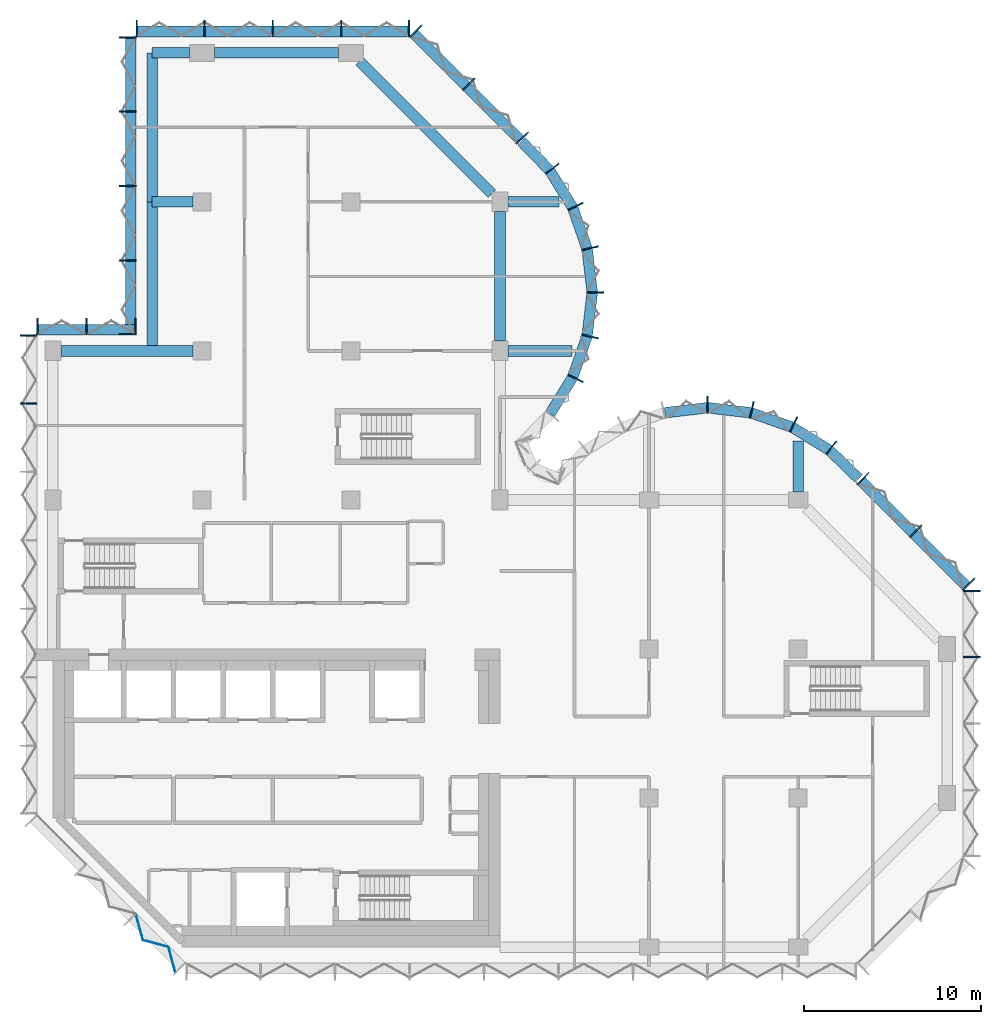
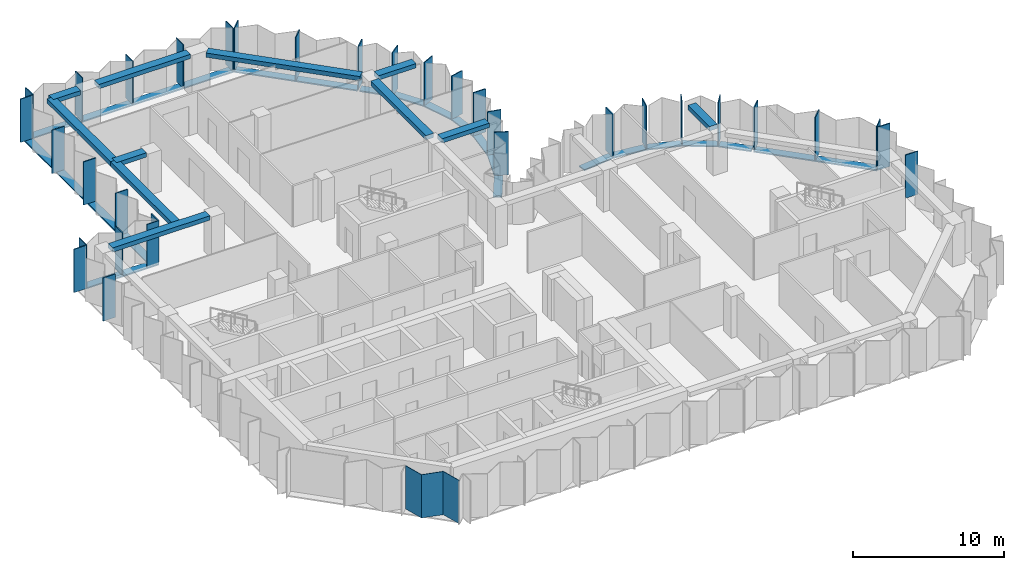
# One storey, part 2 of 10: 50 members, 11 beams, 1 plate, 10 elements without a shape of their own.
"""IFC4 building model written with IfcOpenShell, lengths in metres."""

from ifc_helpers import new_model, si_unit, direction, frame, origin, origin_2d, place, context, subcontext, project, spatial, polyline, rectangle, outline, extrude, material, layer, layer_set, material_profile, profile_set, type_object, element, aggregate, save


model = new_model("IFC4")

# Units and contexts
model_context = context("Model", 3, precision=1e-05, world=origin(), true_north=direction((0.0, 1.0)))
body_context = subcontext(model_context, "Body", "Model", "MODEL_VIEW")
ifc_project = project(units=[si_unit("LENGTHUNIT", "METRE"), si_unit("AREAUNIT", "SQUARE_METRE"), si_unit("VOLUMEUNIT", "CUBIC_METRE"), si_unit("PLANEANGLEUNIT", "RADIAN"), si_unit("MASSUNIT", "GRAM", prefix="KILO")], contexts=[model_context])

# Site, building, storey
site_placement = place(None, origin())
site = spatial("IfcSite", under=ifc_project, at=site_placement, CompositionType="ELEMENT")
building_placement = place(site_placement, origin())
building = spatial("IfcBuilding", under=site, at=building_placement, Name="Brevane Broadcast Tower", CompositionType="ELEMENT")
storey_placement = place(building_placement, frame((0.0, 0.0, 195.60009765625)))
storey = spatial("IfcBuildingStorey", under=building, at=storey_placement, Name="L49", CompositionType="ELEMENT", Elevation=195.60009765625)

# Curtain wall, members
ifc_material_1 = material(Name="Aluminium 6063-T6 bronze anodised", Category="aluminium")
curtain_wall_type = type_object("IfcCurtainWallType", Name="CW-1 curtain wall", PredefinedType="NOTDEFINED", material=ifc_material_1)
curtain_wall_1_placement = place(storey_placement, origin())
curtain_wall_1 = element("IfcCurtainWall", 1, at=curtain_wall_1_placement, inside=storey, type_object=curtain_wall_type, Name="CW-1 typical tilted unit L49 east end", PredefinedType="NOTDEFINED")
ifc_material_profile_1 = material_profile(ifc_material_1, rectangle(XDim=0.949951171875, YDim=0.070068359375, at=origin_2d()), Name="RECT 70x950")
ifc_profile_set_1 = profile_set([ifc_material_profile_1], Name="Aluminium 6063-T6 bronze anodised")
member_type_1 = type_object("IfcMemberType", Name="CW-1 mullion 70x950", PredefinedType="MULLION", material=ifc_profile_set_1)
member_1_placement = place(storey_placement, frame((51.77490234375, 16.35009765625, -0.150146484375), z_axis=(0.0, 0.0, 1.0), x_axis=(-1.0, 0.0, 0.0)))
member_1 = element("IfcMember", 2, at=member_1_placement, type_object=member_type_1, Name="CW-1 mullion", PredefinedType="MULLION", context=body_context, shape_type="SweptSolid", body=[
    extrude(rectangle(XDim=0.949951171875, YDim=0.070068359375, at=origin_2d()), origin(), (0.0, 0.0, 1.0), 3.5),
])
member_2_placement = place(storey_placement, frame((51.77490234375, 20.06494140625, -0.150146484375), z_axis=(0.0, 0.0, 1.0), x_axis=(-1.0, 0.0, 0.0)))
member_2 = element("IfcMember", 3, at=member_2_placement, type_object=member_type_1, Name="CW-1 mullion", PredefinedType="MULLION", context=body_context, shape_type="SweptSolid", body=[
    extrude(rectangle(XDim=0.949951171875, YDim=0.070068359375, at=origin_2d()), origin(), (0.0, 0.0, 1.0), 3.5),
])
aggregate(curtain_wall_1, [member_1, member_2])

curtain_wall_2_placement = place(storey_placement, origin())
curtain_wall_2 = element("IfcCurtainWall", 4, at=curtain_wall_2_placement, inside=storey, type_object=curtain_wall_type, Name="CW-1 typical tilted unit L49 north-east chamfer", PredefinedType="NOTDEFINED")
member_3_placement = place(storey_placement, frame((51.611083984375, 20.460693359375, -0.150146484375), z_axis=(0.0, 0.0, 1.0), x_axis=(-0.707106781187, -0.707106781187, 0.0)))
member_3 = element("IfcMember", 5, at=member_3_placement, type_object=member_type_1, Name="CW-1 mullion", PredefinedType="MULLION", context=body_context, shape_type="SweptSolid", body=[
    extrude(rectangle(XDim=0.949951171875, YDim=0.070068359375, at=origin_2d()), origin(), (0.0, 0.0, 1.0), 3.5),
])
member_4_placement = place(storey_placement, frame((48.635986328125, 23.435791015625, -0.150146484375), z_axis=(0.0, 0.0, 1.0), x_axis=(-0.707106781187, -0.707106781187, 0.0)))
member_4 = element("IfcMember", 6, at=member_4_placement, type_object=member_type_1, Name="CW-1 mullion", PredefinedType="MULLION", context=body_context, shape_type="SweptSolid", body=[
    extrude(rectangle(XDim=0.949951171875, YDim=0.070068359375, at=origin_2d()), origin(), (0.0, 0.0, 1.0), 3.5),
])
member_5_placement = place(storey_placement, frame((45.66064453125, 26.4111328125, -0.150146484375), z_axis=(0.0, 0.0, 1.0), x_axis=(-0.707106781187, -0.707106781187, 0.0)))
member_5 = element("IfcMember", 7, at=member_5_placement, type_object=member_type_1, Name="CW-1 mullion", PredefinedType="MULLION", context=body_context, shape_type="SweptSolid", body=[
    extrude(rectangle(XDim=0.949951171875, YDim=0.070068359375, at=origin_2d()), origin(), (0.0, 0.0, 1.0), 3.5),
])

curtain_wall_3_placement = place(storey_placement, origin())
curtain_wall_3 = element("IfcCurtainWall", 8, at=curtain_wall_3_placement, inside=storey, type_object=curtain_wall_type, Name="CW-1 typical tilted unit L49 east bow", PredefinedType="NOTDEFINED")
member_6_placement = place(storey_placement, frame((43.8720703125, 28.1455078125, -0.150146484375), z_axis=(0.0, 0.0, 1.0), x_axis=(-0.614769698862, -0.788706673841, 0.0)))
member_6 = element("IfcMember", 9, at=member_6_placement, type_object=member_type_1, Name="CW-1 mullion", PredefinedType="MULLION", context=body_context, shape_type="SweptSolid", body=[
    extrude(rectangle(XDim=0.949951171875, YDim=0.070068359375, at=origin_2d()), origin(), (0.0, 0.0, 1.0), 3.5),
])
member_7_placement = place(storey_placement, frame((41.746826171875, 29.4580078125, -0.150146484375), z_axis=(0.0, 0.0, 1.0), x_axis=(-0.429933580394, -0.902860518823, 0.0)))
member_7 = element("IfcMember", 10, at=member_7_placement, type_object=member_type_1, Name="CW-1 mullion", PredefinedType="MULLION", context=body_context, shape_type="SweptSolid", body=[
    extrude(rectangle(XDim=0.949951171875, YDim=0.070068359375, at=origin_2d()), origin(), (0.0, 0.0, 1.0), 3.5),
])
member_8_placement = place(storey_placement, frame((39.38818359375, 30.28076171875, -0.150146484375), z_axis=(0.0, 0.0, 1.0), x_axis=(-0.224806535479, -0.974403418306, 0.0)))
member_8 = element("IfcMember", 11, at=member_8_placement, type_object=member_type_1, Name="CW-1 mullion", PredefinedType="MULLION", context=body_context, shape_type="SweptSolid", body=[
    extrude(rectangle(XDim=0.949951171875, YDim=0.070068359375, at=origin_2d()), origin(), (0.0, 0.0, 1.0), 3.5),
])
member_9_placement = place(storey_placement, frame((36.89990234375, 30.574951171875, -0.150146484375), z_axis=(0.0, 0.0, 1.0), x_axis=(0.0, -1.0, 0.0)))
member_9 = element("IfcMember", 12, at=member_9_placement, type_object=member_type_1, Name="CW-1 mullion", PredefinedType="MULLION", context=body_context, shape_type="SweptSolid", body=[
    extrude(rectangle(XDim=0.949951171875, YDim=0.070068359375, at=origin_2d()), origin(), (0.0, 0.0, 1.0), 3.5),
])

curtain_wall_4_placement = place(storey_placement, origin())
curtain_wall_4 = element("IfcCurtainWall", 13, at=curtain_wall_4_placement, inside=storey, type_object=curtain_wall_type, Name="CW-1 typical tilted unit L49 north bow", PredefinedType="NOTDEFINED")
member_10_placement = place(storey_placement, frame((29.4580078125, 32.05322265625, -0.150146484375), z_axis=(0.0, 0.0, 1.0), x_axis=(-0.902860518823, 0.429933580394, 0.0)))
member_10 = element("IfcMember", 14, at=member_10_placement, type_object=member_type_1, Name="CW-1 mullion", PredefinedType="MULLION", context=body_context, shape_type="SweptSolid", body=[
    extrude(rectangle(XDim=0.949951171875, YDim=0.070068359375, at=origin_2d()), origin(), (0.0, 0.0, 1.0), 3.5),
])
member_11_placement = place(storey_placement, frame((30.28076171875, 34.411865234375, -0.150146484375), z_axis=(0.0, 0.0, 1.0), x_axis=(-0.974403418306, 0.224806535479, 0.0)))
member_11 = element("IfcMember", 15, at=member_11_placement, type_object=member_type_1, Name="CW-1 mullion", PredefinedType="MULLION", context=body_context, shape_type="SweptSolid", body=[
    extrude(rectangle(XDim=0.949951171875, YDim=0.070068359375, at=origin_2d()), origin(), (0.0, 0.0, 1.0), 3.5),
])
member_12_placement = place(storey_placement, frame((30.574951171875, 36.89990234375, -0.150146484375), z_axis=(0.0, 0.0, 1.0), x_axis=(-1.0, 0.0, 0.0)))
member_12 = element("IfcMember", 16, at=member_12_placement, type_object=member_type_1, Name="CW-1 mullion", PredefinedType="MULLION", context=body_context, shape_type="SweptSolid", body=[
    extrude(rectangle(XDim=0.949951171875, YDim=0.070068359375, at=origin_2d()), origin(), (0.0, 0.0, 1.0), 3.5),
])
member_13_placement = place(storey_placement, frame((30.28076171875, 39.38818359375, -0.150146484375), z_axis=(0.0, 0.0, 1.0), x_axis=(-0.974403418306, -0.224806535479, 0.0)))
member_13 = element("IfcMember", 17, at=member_13_placement, type_object=member_type_1, Name="CW-1 mullion", PredefinedType="MULLION", context=body_context, shape_type="SweptSolid", body=[
    extrude(rectangle(XDim=0.949951171875, YDim=0.070068359375, at=origin_2d()), origin(), (0.0, 0.0, 1.0), 3.5),
])
member_14_placement = place(storey_placement, frame((29.4580078125, 41.746826171875, -0.150146484375), z_axis=(0.0, 0.0, 1.0), x_axis=(-0.902860518823, -0.429933580394, 0.0)))
member_14 = element("IfcMember", 18, at=member_14_placement, type_object=member_type_1, Name="CW-1 mullion", PredefinedType="MULLION", context=body_context, shape_type="SweptSolid", body=[
    extrude(rectangle(XDim=0.949951171875, YDim=0.070068359375, at=origin_2d()), origin(), (0.0, 0.0, 1.0), 3.5),
])
member_15_placement = place(storey_placement, frame((28.1455078125, 43.8720703125, -0.150146484375), z_axis=(0.0, 0.0, 1.0), x_axis=(-0.788706673841, -0.614769698862, 0.0)))
member_15 = element("IfcMember", 19, at=member_15_placement, type_object=member_type_1, Name="CW-1 mullion", PredefinedType="MULLION", context=body_context, shape_type="SweptSolid", body=[
    extrude(rectangle(XDim=0.949951171875, YDim=0.070068359375, at=origin_2d()), origin(), (0.0, 0.0, 1.0), 3.5),
])
member_16_placement = place(storey_placement, frame((26.465087890625, 45.60595703125, -0.150146484375), z_axis=(0.0, 0.0, 1.0), x_axis=(-0.717253728729, -0.696812089895, 0.0)))
member_16 = element("IfcMember", 20, at=member_16_placement, type_object=member_type_1, Name="CW-1 mullion", PredefinedType="MULLION", context=body_context, shape_type="SweptSolid", body=[
    extrude(rectangle(XDim=0.949951171875, YDim=0.070068359375, at=origin_2d()), origin(), (0.0, 0.0, 1.0), 3.5),
])

curtain_wall_5_placement = place(storey_placement, origin())
curtain_wall_5 = element("IfcCurtainWall", 21, at=curtain_wall_5_placement, inside=storey, type_object=curtain_wall_type, Name="CW-1 typical tilted unit L49 north arm north-east chamfer", PredefinedType="NOTDEFINED")
member_17_placement = place(storey_placement, frame((23.435791015625, 48.635986328125, -0.150146484375), z_axis=(0.0, 0.0, 1.0), x_axis=(-0.707106781187, -0.707106781187, 0.0)))
member_17 = element("IfcMember", 22, at=member_17_placement, type_object=member_type_1, Name="CW-1 mullion", PredefinedType="MULLION", context=body_context, shape_type="SweptSolid", body=[
    extrude(rectangle(XDim=0.949951171875, YDim=0.070068359375, at=origin_2d()), origin(), (0.0, 0.0, 1.0), 3.5),
])
member_18_placement = place(storey_placement, frame((20.460693359375, 51.611083984375, -0.150146484375), z_axis=(0.0, 0.0, 1.0), x_axis=(-0.707106781187, -0.707106781187, 0.0)))
member_18 = element("IfcMember", 23, at=member_18_placement, type_object=member_type_1, Name="CW-1 mullion", PredefinedType="MULLION", context=body_context, shape_type="SweptSolid", body=[
    extrude(rectangle(XDim=0.949951171875, YDim=0.070068359375, at=origin_2d()), origin(), (0.0, 0.0, 1.0), 3.5),
])

curtain_wall_6_placement = place(storey_placement, origin())
curtain_wall_6 = element("IfcCurtainWall", 24, at=curtain_wall_6_placement, inside=storey, type_object=curtain_wall_type, Name="CW-1 typical tilted unit L49 north end", PredefinedType="NOTDEFINED")
member_19_placement = place(storey_placement, frame((20.06494140625, 51.77490234375, -0.150146484375), z_axis=(0.0, 0.0, 1.0), x_axis=(0.0, -1.0, 0.0)))
member_19 = element("IfcMember", 25, at=member_19_placement, type_object=member_type_1, Name="CW-1 mullion", PredefinedType="MULLION", context=body_context, shape_type="SweptSolid", body=[
    extrude(rectangle(XDim=0.949951171875, YDim=0.070068359375, at=origin_2d()), origin(), (0.0, 0.0, 1.0), 3.5),
])
member_20_placement = place(storey_placement, frame((16.25, 51.77490234375, -0.150146484375), z_axis=(0.0, 0.0, 1.0), x_axis=(0.0, -1.0, 0.0)))
member_20 = element("IfcMember", 26, at=member_20_placement, type_object=member_type_1, Name="CW-1 mullion", PredefinedType="MULLION", context=body_context, shape_type="SweptSolid", body=[
    extrude(rectangle(XDim=0.949951171875, YDim=0.070068359375, at=origin_2d()), origin(), (0.0, 0.0, 1.0), 3.5),
])
member_21_placement = place(storey_placement, frame((12.39990234375, 51.77490234375, -0.150146484375), z_axis=(0.0, 0.0, 1.0), x_axis=(0.0, -1.0, 0.0)))
member_21 = element("IfcMember", 27, at=member_21_placement, type_object=member_type_1, Name="CW-1 mullion", PredefinedType="MULLION", context=body_context, shape_type="SweptSolid", body=[
    extrude(rectangle(XDim=0.949951171875, YDim=0.070068359375, at=origin_2d()), origin(), (0.0, 0.0, 1.0), 3.5),
])
member_22_placement = place(storey_placement, frame((8.550048828125, 51.77490234375, -0.150146484375), z_axis=(0.0, 0.0, 1.0), x_axis=(0.0, -1.0, 0.0)))
member_22 = element("IfcMember", 28, at=member_22_placement, type_object=member_type_1, Name="CW-1 mullion", PredefinedType="MULLION", context=body_context, shape_type="SweptSolid", body=[
    extrude(rectangle(XDim=0.949951171875, YDim=0.070068359375, at=origin_2d()), origin(), (0.0, 0.0, 1.0), 3.5),
])
member_23_placement = place(storey_placement, frame((4.735107421875, 51.77490234375, -0.150146484375), z_axis=(0.0, 0.0, 1.0), x_axis=(0.0, -1.0, 0.0)))
member_23 = element("IfcMember", 29, at=member_23_placement, type_object=member_type_1, Name="CW-1 mullion", PredefinedType="MULLION", context=body_context, shape_type="SweptSolid", body=[
    extrude(rectangle(XDim=0.949951171875, YDim=0.070068359375, at=origin_2d()), origin(), (0.0, 0.0, 1.0), 3.5),
])

curtain_wall_7_placement = place(storey_placement, origin())
curtain_wall_7 = element("IfcCurtainWall", 30, at=curtain_wall_7_placement, inside=storey, type_object=curtain_wall_type, Name="CW-1 typical tilted unit L49 north wing west face, lower block", PredefinedType="NOTDEFINED")
member_24_placement = place(storey_placement, frame((4.22509765625, 51.264892578125, -0.150146484375), z_axis=(0.0, 0.0, 1.0), x_axis=(1.0, 0.0, 0.0)))
member_24 = element("IfcMember", 31, at=member_24_placement, type_object=member_type_1, Name="CW-1 mullion", PredefinedType="MULLION", context=body_context, shape_type="SweptSolid", body=[
    extrude(rectangle(XDim=0.949951171875, YDim=0.070068359375, at=origin_2d()), origin(), (0.0, 0.0, 1.0), 3.5),
])
member_25_placement = place(storey_placement, frame((4.22509765625, 47.10009765625, -0.150146484375), z_axis=(0.0, 0.0, 1.0), x_axis=(1.0, 0.0, 0.0)))
member_25 = element("IfcMember", 32, at=member_25_placement, type_object=member_type_1, Name="CW-1 mullion", PredefinedType="MULLION", context=body_context, shape_type="SweptSolid", body=[
    extrude(rectangle(XDim=0.949951171875, YDim=0.070068359375, at=origin_2d()), origin(), (0.0, 0.0, 1.0), 3.5),
])
member_26_placement = place(storey_placement, frame((4.22509765625, 42.89990234375, -0.150146484375), z_axis=(0.0, 0.0, 1.0), x_axis=(1.0, 0.0, 0.0)))
member_26 = element("IfcMember", 33, at=member_26_placement, type_object=member_type_1, Name="CW-1 mullion", PredefinedType="MULLION", context=body_context, shape_type="SweptSolid", body=[
    extrude(rectangle(XDim=0.949951171875, YDim=0.070068359375, at=origin_2d()), origin(), (0.0, 0.0, 1.0), 3.5),
])
member_27_placement = place(storey_placement, frame((4.22509765625, 38.699951171875, -0.150146484375), z_axis=(0.0, 0.0, 1.0), x_axis=(1.0, 0.0, 0.0)))
member_27 = element("IfcMember", 34, at=member_27_placement, type_object=member_type_1, Name="CW-1 mullion", PredefinedType="MULLION", context=body_context, shape_type="SweptSolid", body=[
    extrude(rectangle(XDim=0.949951171875, YDim=0.070068359375, at=origin_2d()), origin(), (0.0, 0.0, 1.0), 3.5),
])
member_28_placement = place(storey_placement, frame((4.22509765625, 34.534912109375, -0.150146484375), z_axis=(0.0, 0.0, 1.0), x_axis=(1.0, 0.0, 0.0)))
member_28 = element("IfcMember", 35, at=member_28_placement, type_object=member_type_1, Name="CW-1 mullion", PredefinedType="MULLION", context=body_context, shape_type="SweptSolid", body=[
    extrude(rectangle(XDim=0.949951171875, YDim=0.070068359375, at=origin_2d()), origin(), (0.0, 0.0, 1.0), 3.5),
])

curtain_wall_8_placement = place(storey_placement, origin())
curtain_wall_8 = element("IfcCurtainWall", 36, at=curtain_wall_8_placement, inside=storey, type_object=curtain_wall_type, Name="CW-1 typical tilted unit L49 north wing west return, lower block", PredefinedType="NOTDEFINED")
member_29_placement = place(storey_placement, frame((4.6650390625, 34.97509765625, -0.150146484375), z_axis=(0.0, 0.0, 1.0), x_axis=(0.0, -1.0, 0.0)))
member_29 = element("IfcMember", 37, at=member_29_placement, type_object=member_type_1, Name="CW-1 mullion", PredefinedType="MULLION", context=body_context, shape_type="SweptSolid", body=[
    extrude(rectangle(XDim=0.949951171875, YDim=0.070068359375, at=origin_2d()), origin(), (0.0, 0.0, 1.0), 3.5),
])
member_30_placement = place(storey_placement, frame((1.89990234375, 34.97509765625, -0.150146484375), z_axis=(0.0, 0.0, 1.0), x_axis=(0.0, -1.0, 0.0)))
member_30 = element("IfcMember", 38, at=member_30_placement, type_object=member_type_1, Name="CW-1 mullion", PredefinedType="MULLION", context=body_context, shape_type="SweptSolid", body=[
    extrude(rectangle(XDim=0.949951171875, YDim=0.070068359375, at=origin_2d()), origin(), (0.0, 0.0, 1.0), 3.5),
])
member_31_placement = place(storey_placement, frame((-0.864990234375, 34.97509765625, -0.150146484375), z_axis=(0.0, 0.0, 1.0), x_axis=(0.0, -1.0, 0.0)))
member_31 = element("IfcMember", 39, at=member_31_placement, type_object=member_type_1, Name="CW-1 mullion", PredefinedType="MULLION", context=body_context, shape_type="SweptSolid", body=[
    extrude(rectangle(XDim=0.949951171875, YDim=0.070068359375, at=origin_2d()), origin(), (0.0, 0.0, 1.0), 3.5),
])

curtain_wall_9_placement = place(storey_placement, origin())
curtain_wall_9 = element("IfcCurtainWall", 40, at=curtain_wall_9_placement, inside=storey, type_object=curtain_wall_type, Name="CW-1 typical tilted unit L49 west face", PredefinedType="NOTDEFINED")
member_32_placement = place(storey_placement, frame((-1.375, 34.465087890625, -0.150146484375), z_axis=(0.0, 0.0, 1.0), x_axis=(1.0, 0.0, 0.0)))
member_32 = element("IfcMember", 41, at=member_32_placement, type_object=member_type_1, Name="CW-1 mullion", PredefinedType="MULLION", context=body_context, shape_type="SweptSolid", body=[
    extrude(rectangle(XDim=0.949951171875, YDim=0.070068359375, at=origin_2d()), origin(), (0.0, 0.0, 1.0), 3.5),
])
member_33_placement = place(storey_placement, frame((-1.375, 30.642822265625, -0.150146484375), z_axis=(0.0, 0.0, 1.0), x_axis=(1.0, 0.0, 0.0)))
member_33 = element("IfcMember", 42, at=member_33_placement, type_object=member_type_1, Name="CW-1 mullion", PredefinedType="MULLION", context=body_context, shape_type="SweptSolid", body=[
    extrude(rectangle(XDim=0.949951171875, YDim=0.070068359375, at=origin_2d()), origin(), (0.0, 0.0, 1.0), 3.5),
])
aggregate(curtain_wall_9, [member_32, member_33])

# Member
ifc_material_profile_2 = material_profile(ifc_material_1, rectangle(XDim=0.60009765625, YDim=0.10009765625, at=origin_2d()), Name="RECT 100x600")
ifc_profile_set_2 = profile_set([ifc_material_profile_2], Name="Aluminium 6063-T6 bronze anodised")
member_type_2 = type_object("IfcMemberType", Name="CW-1 transom 100x600", PredefinedType="USERDEFINED", material=ifc_profile_set_2)
member_34_placement = place(storey_placement, frame((51.51220703125, 20.31201171875, -0.2001953125), z_axis=(-0.707106781187, 0.707106781187, 0.0), x_axis=(-0.707106781187, -0.707106781187, 0.0)))
member_34 = element("IfcMember", 43, at=member_34_placement, type_object=member_type_2, Name="CW-1 transom", ObjectType="TRANSOM", PredefinedType="USERDEFINED", context=body_context, shape_type="SweptSolid", body=[
    extrude(rectangle(XDim=0.60009765625, YDim=0.10009765625, at=origin_2d()), origin(), (0.0, 0.0, 1.0), 8.4853515625),
])

aggregate(curtain_wall_2, [member_3, member_4, member_5, member_34])

member_35_placement = place(storey_placement, frame((45.412841796875, 26.407958984375, -0.2001953125), z_axis=(-0.71724215871, 0.696823999134, 0.0), x_axis=(-0.696823999134, -0.71724215871, 0.0)))
member_35 = element("IfcMember", 44, at=member_35_placement, type_object=member_type_2, Name="CW-1 transom", ObjectType="TRANSOM", PredefinedType="USERDEFINED", context=body_context, shape_type="SweptSolid", body=[
    extrude(rectangle(XDim=0.60009765625, YDim=0.10009765625, at=origin_2d()), origin(), (0.0, 0.0, 1.0), 2.247802734375),
])

member_36_placement = place(storey_placement, frame((43.7421875, 28.023193359375, -0.2001953125), z_axis=(-0.850810063131, 0.525473345162, 0.0), x_axis=(-0.525473345162, -0.850810063131, 0.0)))
member_36 = element("IfcMember", 45, at=member_36_placement, type_object=member_type_2, Name="CW-1 transom", ObjectType="TRANSOM", PredefinedType="USERDEFINED", context=body_context, shape_type="SweptSolid", body=[
    extrude(rectangle(XDim=0.60009765625, YDim=0.10009765625, at=origin_2d()), origin(), (0.0, 0.0, 1.0), 2.39453125),
])

member_37_placement = place(storey_placement, frame((41.63623046875, 29.314208984375, -0.2001953125), z_axis=(-0.944197969542, 0.329378497041, 0.0), x_axis=(-0.329378497041, -0.944197969542, 0.0)))
member_37 = element("IfcMember", 46, at=member_37_placement, type_object=member_type_2, Name="CW-1 transom", ObjectType="TRANSOM", PredefinedType="USERDEFINED", context=body_context, shape_type="SweptSolid", body=[
    extrude(rectangle(XDim=0.60009765625, YDim=0.10009765625, at=origin_2d()), origin(), (0.0, 0.0, 1.0), 2.394775390625),
])

member_38_placement = place(storey_placement, frame((39.30029296875, 30.117431640625, -0.2001953125), z_axis=(-0.993062061831, 0.117591417, 0.0), x_axis=(-0.117591417, -0.993062061831, 0.0)))
member_38 = element("IfcMember", 47, at=member_38_placement, type_object=member_type_2, Name="CW-1 transom", ObjectType="TRANSOM", PredefinedType="USERDEFINED", context=body_context, shape_type="SweptSolid", body=[
    extrude(rectangle(XDim=0.60009765625, YDim=0.10009765625, at=origin_2d()), origin(), (0.0, 0.0, 1.0), 2.39794921875),
])

member_39_placement = place(storey_placement, frame((36.880859375, 30.3994140625, -0.2001953125), z_axis=(-0.993060653805, -0.117603307202, 0.0), x_axis=(0.117603307202, -0.993060653805, 0.0)))
member_39 = element("IfcMember", 48, at=member_39_placement, type_object=member_type_2, Name="CW-1 transom", ObjectType="TRANSOM", PredefinedType="USERDEFINED", context=body_context, shape_type="SweptSolid", body=[
    extrude(rectangle(XDim=0.60009765625, YDim=0.10009765625, at=origin_2d()), origin(), (0.0, 0.0, 1.0), 2.397705078125),
])

aggregate(curtain_wall_3, [member_6, member_7, member_8, member_9, member_35, member_36, member_37, member_38, member_39])

member_40_placement = place(storey_placement, frame((28.023193359375, 30.0576171875, -0.2001953125), z_axis=(0.525427766759, 0.850838211365, 0.0), x_axis=(-0.850838211365, 0.525427766759, 0.0)))
member_40 = element("IfcMember", 49, at=member_40_placement, type_object=member_type_2, Name="CW-1 transom", ObjectType="TRANSOM", PredefinedType="USERDEFINED", context=body_context, shape_type="SweptSolid", body=[
    extrude(rectangle(XDim=0.60009765625, YDim=0.10009765625, at=origin_2d()), origin(), (0.0, 0.0, 1.0), 2.394775390625),
])

member_41_placement = place(storey_placement, frame((29.314208984375, 32.163818359375, -0.2001953125), z_axis=(0.329378497041, 0.944197969542, 0.0), x_axis=(-0.944197969542, 0.329378497041, 0.0)))
member_41 = element("IfcMember", 50, at=member_41_placement, type_object=member_type_2, Name="CW-1 transom", ObjectType="TRANSOM", PredefinedType="USERDEFINED", context=body_context, shape_type="SweptSolid", body=[
    extrude(rectangle(XDim=0.60009765625, YDim=0.10009765625, at=origin_2d()), origin(), (0.0, 0.0, 1.0), 2.394775390625),
])

member_42_placement = place(storey_placement, frame((30.117431640625, 34.499755859375, -0.2001953125), z_axis=(0.117603307202, 0.993060653805, 0.0), x_axis=(-0.993060653805, 0.117603307202, 0.0)))
member_42 = element("IfcMember", 51, at=member_42_placement, type_object=member_type_2, Name="CW-1 transom", ObjectType="TRANSOM", PredefinedType="USERDEFINED", context=body_context, shape_type="SweptSolid", body=[
    extrude(rectangle(XDim=0.60009765625, YDim=0.10009765625, at=origin_2d()), origin(), (0.0, 0.0, 1.0), 2.397705078125),
])

member_43_placement = place(storey_placement, frame((30.3994140625, 36.9189453125, -0.2001953125), z_axis=(-0.117591417, 0.993062061831, 0.0), x_axis=(-0.993062061831, -0.117591417, 0.0)))
member_43 = element("IfcMember", 52, at=member_43_placement, type_object=member_type_2, Name="CW-1 transom", ObjectType="TRANSOM", PredefinedType="USERDEFINED", context=body_context, shape_type="SweptSolid", body=[
    extrude(rectangle(XDim=0.60009765625, YDim=0.10009765625, at=origin_2d()), origin(), (0.0, 0.0, 1.0), 2.39794921875),
])

member_44_placement = place(storey_placement, frame((30.10302734375, 39.375, -0.2001953125), z_axis=(-0.329378497041, 0.944197969542, 0.0), x_axis=(-0.944197969542, -0.329378497041, 0.0)))
member_44 = element("IfcMember", 53, at=member_44_placement, type_object=member_type_2, Name="CW-1 transom", ObjectType="TRANSOM", PredefinedType="USERDEFINED", context=body_context, shape_type="SweptSolid", body=[
    extrude(rectangle(XDim=0.60009765625, YDim=0.10009765625, at=origin_2d()), origin(), (0.0, 0.0, 1.0), 2.394775390625),
])

member_45_placement = place(storey_placement, frame((29.281494140625, 41.704833984375, -0.2001953125), z_axis=(-0.525473345162, 0.850810063131, 0.0), x_axis=(-0.850810063131, -0.525473345162, 0.0)))
member_45 = element("IfcMember", 54, at=member_45_placement, type_object=member_type_2, Name="CW-1 transom", ObjectType="TRANSOM", PredefinedType="USERDEFINED", context=body_context, shape_type="SweptSolid", body=[
    extrude(rectangle(XDim=0.60009765625, YDim=0.10009765625, at=origin_2d()), origin(), (0.0, 0.0, 1.0), 2.39453125),
])

member_46_placement = place(storey_placement, frame((27.974365234375, 43.800537109375, -0.2001953125), z_axis=(-0.696823999134, 0.71724215871, 0.0), x_axis=(-0.71724215871, -0.696823999134, 0.0)))
member_46 = element("IfcMember", 55, at=member_46_placement, type_object=member_type_2, Name="CW-1 transom", ObjectType="TRANSOM", PredefinedType="USERDEFINED", context=body_context, shape_type="SweptSolid", body=[
    extrude(rectangle(XDim=0.60009765625, YDim=0.10009765625, at=origin_2d()), origin(), (0.0, 0.0, 1.0), 2.247802734375),
])

aggregate(curtain_wall_4, [member_10, member_11, member_12, member_13, member_14, member_15, member_16, member_40, member_41, member_42, member_43, member_44, member_45, member_46])

member_47_placement = place(storey_placement, frame((26.31201171875, 45.51220703125, -0.2001953125), z_axis=(-0.707106781187, 0.707106781187, 0.0), x_axis=(-0.707106781187, -0.707106781187, 0.0)))
member_47 = element("IfcMember", 56, at=member_47_placement, type_object=member_type_2, Name="CW-1 transom", ObjectType="TRANSOM", PredefinedType="USERDEFINED", context=body_context, shape_type="SweptSolid", body=[
    extrude(rectangle(XDim=0.60009765625, YDim=0.10009765625, at=origin_2d()), origin(), (0.0, 0.0, 1.0), 8.4853515625),
])

aggregate(curtain_wall_5, [member_17, member_18, member_47])

member_48_placement = place(storey_placement, frame((20.10009765625, 51.60009765625, -0.2001953125), z_axis=(-1.0, 0.0, 0.0), x_axis=(0.0, -1.0, 0.0)))
member_48 = element("IfcMember", 57, at=member_48_placement, type_object=member_type_2, Name="CW-1 transom", ObjectType="TRANSOM", PredefinedType="USERDEFINED", context=body_context, shape_type="SweptSolid", body=[
    extrude(rectangle(XDim=0.60009765625, YDim=0.10009765625, at=origin_2d()), origin(), (0.0, 0.0, 1.0), 15.400146484375),
])

aggregate(curtain_wall_6, [member_19, member_20, member_21, member_22, member_23, member_48])

member_49_placement = place(storey_placement, frame((4.39990234375, 51.300048828125, -0.2001953125), z_axis=(0.0, -1.0, 0.0), x_axis=(1.0, 0.0, 0.0)))
member_49 = element("IfcMember", 58, at=member_49_placement, type_object=member_type_2, Name="CW-1 transom", ObjectType="TRANSOM", PredefinedType="USERDEFINED", context=body_context, shape_type="SweptSolid", body=[
    extrude(rectangle(XDim=0.60009765625, YDim=0.10009765625, at=origin_2d()), origin(), (0.0, 0.0, 1.0), 16.800048828125),
])

aggregate(curtain_wall_7, [member_24, member_25, member_26, member_27, member_28, member_49])

member_50_placement = place(storey_placement, frame((4.699951171875, 34.800048828125, -0.2001953125), z_axis=(-1.0, 0.0, 0.0), x_axis=(0.0, -1.0, 0.0)))
member_50 = element("IfcMember", 59, at=member_50_placement, type_object=member_type_2, Name="CW-1 transom", ObjectType="TRANSOM", PredefinedType="USERDEFINED", context=body_context, shape_type="SweptSolid", body=[
    extrude(rectangle(XDim=0.60009765625, YDim=0.10009765625, at=origin_2d()), origin(), (0.0, 0.0, 1.0), 5.599853515625),
])

aggregate(curtain_wall_8, [member_29, member_30, member_31, member_50])

# Beams
ifc_material_2 = material(Name="Concrete C40/50", Category="concrete")
ifc_material_profile_3 = material_profile(ifc_material_2, rectangle(XDim=0.60009765625, YDim=0.35009765625, at=origin_2d()), Name="RC 600x350")
ifc_profile_set_3 = profile_set([ifc_material_profile_3], Name="Concrete C40/50")
beam_type_1 = type_object("IfcBeamType", Name="RC BRACKET BEAM 600x350 C40/50", PredefinedType="BEAM", material=ifc_profile_set_3)
beam_1_placement = place(storey_placement, frame((25.64990234375, 33.60009765625, 3.1748046875), z_axis=(1.0, 0.0, 0.0), x_axis=(0.0, 1.0, 0.0)))
element("IfcBeam", 60, at=beam_1_placement, inside=storey, type_object=beam_type_1, Name="EB2 L49-1", PredefinedType="BEAM", context=body_context, shape_type="SweptSolid", body=[
    extrude(rectangle(XDim=0.60009765625, YDim=0.35009765625, at=origin_2d()), origin(), (0.0, 0.0, 1.0), 3.612060546875),
])
for number, where, z_axis, x_axis, name in (
    (61, (25.64990234375, 42.0, 3.1748046875), (1.0, 0.0, 0.0), (0.0, 1.0, 0.0), "EB2 L49-2"),
    (62, (42.0, 25.64990234375, 3.1748046875), (0.0, 1.0, 0.0), (-1.0, 0.0, 0.0), "EB2 L49-4"),
):
    element("IfcBeam", number, at=place(storey_placement, frame(where, z_axis=z_axis, x_axis=x_axis)), inside=storey, type_object=beam_type_1, Name=name, PredefinedType="BEAM", context=body_context, shape_type="SweptSolid", body=[
        extrude(rectangle(XDim=0.60009765625, YDim=0.35009765625, at=origin_2d()), origin(), (0.0, 0.0, 1.0), 2.861572265625),
    ])
beam_2_placement = place(storey_placement, frame((7.89990234375, 42.0, 3.1748046875), z_axis=(-1.0, 0.0, 0.0), x_axis=(0.0, -1.0, 0.0)))
element("IfcBeam", 63, at=beam_2_placement, inside=storey, type_object=beam_type_1, Name="EB2 L49-5", PredefinedType="BEAM", context=body_context, shape_type="SweptSolid", body=[
    extrude(rectangle(XDim=0.60009765625, YDim=0.35009765625, at=origin_2d()), origin(), (0.0, 0.0, 1.0), 2.2998046875),
])
ifc_material_profile_4 = material_profile(ifc_material_2, rectangle(XDim=0.60009765625, YDim=0.35009765625, at=origin_2d()), Name="RC 600x350")
ifc_profile_set_4 = profile_set([ifc_material_profile_4], Name="Concrete C40/50")
beam_type_2 = type_object("IfcBeamType", Name="RC SPANDREL BEAM 600x350 C40/50", PredefinedType="SPANDREL", material=ifc_profile_set_4)
beam_3_placement = place(storey_placement, frame((25.199951171875, 34.14990234375, 3.1748046875), z_axis=(0.0, 1.0, 0.0), x_axis=(-1.0, 0.0, 0.0)))
element("IfcBeam", 64, at=beam_3_placement, inside=storey, type_object=beam_type_2, Name="EB1 L49-9", PredefinedType="SPANDREL", context=body_context, shape_type="SweptSolid", body=[
    extrude(rectangle(XDim=0.60009765625, YDim=0.35009765625, at=origin_2d()), origin(), (0.0, 0.0, 1.0), 7.300048828125),
])
beam_4_placement = place(storey_placement, frame((24.75, 42.449951171875, 3.1748046875), z_axis=(-0.707106781187, 0.707106781187, 0.0), x_axis=(-0.707106781187, -0.707106781187, 0.0)))
element("IfcBeam", 65, at=beam_4_placement, inside=storey, type_object=beam_type_2, Name="EB1 L49-10", PredefinedType="SPANDREL", context=body_context, shape_type="SweptSolid", body=[
    extrude(rectangle(XDim=0.60009765625, YDim=0.35009765625, at=origin_2d()), origin(), (0.0, 0.0, 1.0), 10.5712890625),
])
beam_5_placement = place(storey_placement, frame((16.10009765625, 50.39990234375, 3.1748046875), z_axis=(-1.0, 0.0, 0.0), x_axis=(0.0, -1.0, 0.0)))
element("IfcBeam", 66, at=beam_5_placement, inside=storey, type_object=beam_type_2, Name="EB1 L49-11", PredefinedType="SPANDREL", context=body_context, shape_type="SweptSolid", body=[
    extrude(rectangle(XDim=0.60009765625, YDim=0.35009765625, at=origin_2d()), origin(), (0.0, 0.0, 1.0), 7.0),
])
beam_6_placement = place(storey_placement, frame((0.449951171875, 33.60009765625, 3.1748046875), z_axis=(1.0, 0.0, 0.0), x_axis=(0.0, 1.0, 0.0)))
element("IfcBeam", 67, at=beam_6_placement, inside=storey, type_object=beam_type_2, Name="EB1 L49-14", PredefinedType="SPANDREL", context=body_context, shape_type="SweptSolid", body=[
    extrude(rectangle(XDim=0.60009765625, YDim=0.35009765625, at=origin_2d()), origin(), (0.0, 0.0, 1.0), 7.449951171875),
])
for number, where, z_axis, x_axis, name in (
    (68, (5.60009765625, 33.60009765625, 3.1748046875), (0.0, 1.0, 0.0), (-1.0, 0.0, 0.0), "EB1 L49-15"),
    (69, (5.60009765625, 42.0, 3.1748046875), (0.0, 1.0, 0.0), (-1.0, 0.0, 0.0), "EB1 L49-16"),
):
    element("IfcBeam", number, at=place(storey_placement, frame(where, z_axis=z_axis, x_axis=x_axis)), inside=storey, type_object=beam_type_2, Name=name, PredefinedType="SPANDREL", context=body_context, shape_type="SweptSolid", body=[
        extrude(rectangle(XDim=0.60009765625, YDim=0.35009765625, at=origin_2d()), origin(), (0.0, 0.0, 1.0), 8.39990234375),
    ])
beam_7_placement = place(storey_placement, frame((5.60009765625, 50.39990234375, 3.1748046875), z_axis=(1.0, 0.0, 0.0), x_axis=(0.0, 1.0, 0.0)))
element("IfcBeam", 70, at=beam_7_placement, inside=storey, type_object=beam_type_2, Name="EB1 L49-17", PredefinedType="SPANDREL", context=body_context, shape_type="SweptSolid", body=[
    extrude(rectangle(XDim=0.60009765625, YDim=0.35009765625, at=origin_2d()), origin(), (0.0, 0.0, 1.0), 2.099853515625),
])

# Curtain wall, plate
curtain_wall_10_placement = place(storey_placement, origin())
curtain_wall_10 = element("IfcCurtainWall", 71, at=curtain_wall_10_placement, inside=storey, type_object=curtain_wall_type, Name="CW-1 typical tilted unit L49 south-west chamfer", PredefinedType="NOTDEFINED")
ifc_material_3 = material(Name="Laminated glass bronze-tinted", Category="glass")
ifc_layer = layer(ifc_material_3, 0.0400390625)
ifc_layer_set = layer_set([ifc_layer], Name="CW tall glass panel 40")
plate_type = type_object("IfcPlateType", Name="CW tall glass panel 40", PredefinedType="CURTAIN_PANEL", material=ifc_layer_set)
plate_placement = place(storey_placement, frame((0.0, 0.0, -0.150146484375)))
plate = element("IfcPlate", 72, at=plate_placement, type_object=plate_type, Name="CW-1 glass panel", PredefinedType="CURTAIN_PANEL", context=body_context, shape_type="SweptSolid", body=[
    extrude(outline(polyline([(4.705810546875, 1.856201171875), (4.673095703125, 1.823486328125), (5.063720703125, 0.38037109375), (6.5068359375, -0.010009765625), (6.897216796875, -1.453369140625), (6.9296875, -1.420654296875), (6.539306640625, 0.0224609375), (5.09619140625, 0.4130859375), (4.705810546875, 1.856201171875)])), origin(), (0.0, 0.0, 1.0), 3.5),
])
aggregate(curtain_wall_10, [plate])

save(model, "model.ifc")
